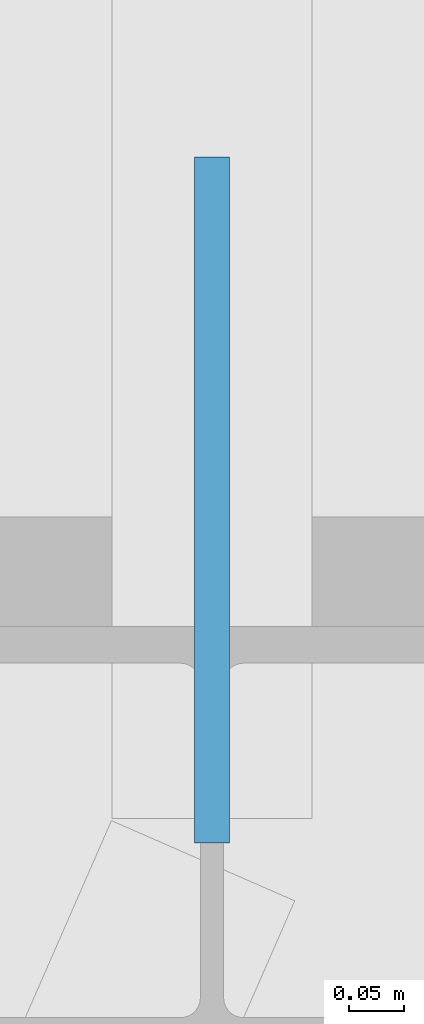
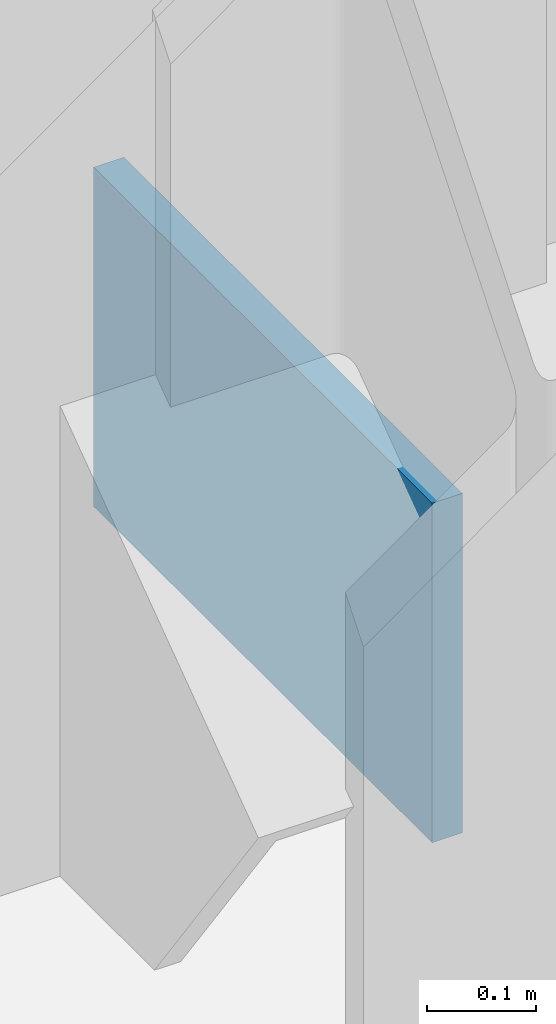
# One storey, part 30 of 37: 1 plate.
"""IFC4 building model written with IfcOpenShell, lengths in metres."""

import ifcopenshell
import ifcopenshell.guid

model = None  # the IFC model being written
_history = None  # IfcOwnerHistory: only IFC2X3 demands one
_inside = {}  # id of a spatial element -> (the spatial element, [elements in it])
_under = {}  # id of a project, library or spatial element -> (it, [spatial elements below it])
_declared = {}  # id of a project -> (the project, [libraries it declares])
_typed = {}  # id of a type object -> (the type object, [elements of that type])
_made_of = {}  # id of a material, layer set ... -> (it, [elements and type objects made of it])


def new_model(schema):
    """Start an empty IFC model of exactly this schema.

    Asked for "IFC4X3", IfcOpenShell would pick the latest addendum, in which some entities
    have other attributes; the version numbers below select the first issue.
    IFC2X3 requires an IfcOwnerHistory on every rooted entity: one is made here for all.
    """
    global model, _history
    if schema == "IFC4X3":
        model = ifcopenshell.file(schema_version=(4, 3, 0, 0))
    else:
        model = ifcopenshell.file(schema=schema)
    _inside.clear()
    _under.clear()
    _declared.clear()
    _typed.clear()
    _made_of.clear()
    _history = None
    if model.schema == "IFC2X3":
        org = make("IfcOrganization", Name="unknown")
        user = make(
            "IfcPersonAndOrganization",
            ThePerson=make("IfcPerson", FamilyName="unknown"),
            TheOrganization=org,
        )
        app = make(
            "IfcApplication",
            ApplicationDeveloper=org,
            Version="unknown",
            ApplicationFullName="unknown",
            ApplicationIdentifier="unknown",
        )
        _history = make(
            "IfcOwnerHistory",
            OwningUser=user,
            OwningApplication=app,
            ChangeAction="ADDED",
            CreationDate=0,
        )
    return model


def make(cls, **values):
    """One entity of the class cls with the attributes given. An attribute that is None is left unset."""
    return model.create_entity(
        cls, **{name: value for name, value in values.items() if value is not None}
    )


def rooted(cls, **values):
    """An entity with a GlobalId (a new one), such as an element, a storey or a relation."""
    return make(cls, GlobalId=ifcopenshell.guid.new(), OwnerHistory=_history, **values)


def si_unit(unit_type, name, prefix=None):
    """IfcSIUnit, for example si_unit("LENGTHUNIT", "METRE", prefix="MILLI")."""
    return make("IfcSIUnit", UnitType=unit_type, Prefix=prefix, Name=name)


def assignment(units):
    """IfcUnitAssignment: the units of a project."""
    return None if units is None else make("IfcUnitAssignment", Units=units)


def point(xyz):
    """IfcCartesianPoint."""
    return None if xyz is None else make("IfcCartesianPoint", Coordinates=xyz)


def direction(xyz):
    """IfcDirection."""
    return None if xyz is None else make("IfcDirection", DirectionRatios=xyz)


def frame(location, z_axis=None, x_axis=None):
    """IfcAxis2Placement3D, a coordinate frame: its origin and axes. An axis left out is left unset."""
    return make(
        "IfcAxis2Placement3D",
        Location=point(location),
        Axis=direction(z_axis),
        RefDirection=direction(x_axis),
    )


def frame_2d(location, x_axis=None):
    """IfcAxis2Placement2D, a coordinate frame in the plane: its origin and x axis."""
    return make(
        "IfcAxis2Placement2D", Location=point(location), RefDirection=direction(x_axis)
    )


def origin():
    """The frame at (0, 0, 0) with its axes left unset."""
    return frame((0.0, 0.0, 0.0))


def origin_2d():
    """The frame at (0, 0) in the plane with its x axis left unset."""
    return frame_2d((0.0, 0.0))


def place(relative_to, where):
    """IfcLocalPlacement: puts the frame where relative to a parent placement (None: the world)."""
    return make(
        "IfcLocalPlacement", PlacementRelTo=relative_to, RelativePlacement=where
    )


def context(
    kind, dimensions, precision=None, world=None, true_north=None, identifier=None
):
    """IfcGeometricRepresentationContext, for example the 3D "Model" context."""
    return make(
        "IfcGeometricRepresentationContext",
        ContextIdentifier=identifier,
        ContextType=kind,
        CoordinateSpaceDimension=dimensions,
        Precision=precision,
        WorldCoordinateSystem=world,
        TrueNorth=true_north,
    )


def subcontext(parent, identifier, kind, view, scale=None):
    """IfcGeometricRepresentationSubContext, for example "Body" below "Model"."""
    return make(
        "IfcGeometricRepresentationSubContext",
        ContextIdentifier=identifier,
        ContextType=kind,
        ParentContext=parent,
        TargetScale=scale,
        TargetView=view,
    )


def project(units=None, contexts=None):
    """IfcProject with its units and contexts."""
    return rooted(
        "IfcProject",
        Name="project",
        RepresentationContexts=contexts,
        UnitsInContext=assignment(units),
    )


def spatial(cls, under=None, at=None, **own):
    """A site, building, storey or space (cls), placed at a placement, below another one or the project."""
    s = rooted(cls, ObjectPlacement=at, **own)
    if under is not None:
        _under.setdefault(under.id(), (under, []))[1].append(s)
    return s


def profile(cls, at=None, kind="AREA", **sizes):
    """A parametric profile (cls). Its sizes go by their IFC names, for example OverallWidth=200.0."""
    return make(cls, ProfileType=kind, Position=at, **sizes)


def rectangle(**sizes):
    """IfcRectangleProfileDef."""
    return profile("IfcRectangleProfileDef", **sizes)


def extrude(swept, where, along, depth):
    """IfcExtrudedAreaSolid: the profile swept, set in the frame where, extruded along a direction by depth."""
    return make(
        "IfcExtrudedAreaSolid",
        SweptArea=swept,
        Position=where,
        ExtrudedDirection=direction(along),
        Depth=depth,
    )


def shape(context_of_items, identifier, shape_type, items):
    """IfcShapeRepresentation: the items that make up one representation, for example the "Body"."""
    return make(
        "IfcShapeRepresentation",
        ContextOfItems=context_of_items,
        RepresentationIdentifier=identifier,
        RepresentationType=shape_type,
        Items=items,
    )


def source(mapping_origin, context_of_items, identifier, shape_type, items):
    """IfcRepresentationMap: a shape defined once, which mapped items show again and again."""
    return make(
        "IfcRepresentationMap",
        MappingOrigin=mapping_origin,
        MappedRepresentation=shape(context_of_items, identifier, shape_type, items),
    )


def transform(
    local_origin,
    x_axis=None,
    y_axis=None,
    z_axis=None,
    scale=None,
    scale2=None,
    scale3=None,
    uniform=True,
):
    """IfcCartesianTransformationOperator3D, or its non-uniform kind. x_axis, y_axis, z_axis: its Axis1, 2, 3."""
    if uniform:
        return make(
            "IfcCartesianTransformationOperator3D",
            Axis1=direction(x_axis),
            Axis2=direction(y_axis),
            LocalOrigin=point(local_origin),
            Scale=scale,
            Axis3=direction(z_axis),
        )
    return make(
        "IfcCartesianTransformationOperator3DnonUniform",
        Axis1=direction(x_axis),
        Axis2=direction(y_axis),
        LocalOrigin=point(local_origin),
        Scale=scale,
        Axis3=direction(z_axis),
        Scale2=scale2,
        Scale3=scale3,
    )


def mapped(mapping_source, mapping_target):
    """IfcMappedItem: shows the shape of a source again, moved by a transform."""
    return make(
        "IfcMappedItem", MappingSource=mapping_source, MappingTarget=mapping_target
    )


def material(Name=None, Category=None):
    """IfcMaterial."""
    return make("IfcMaterial", Name=Name, Category=Category)


def layer(
    of_material, thickness, ventilated=None, Name=None, Category=None, Priority=None
):
    """IfcMaterialLayer: one layer of a wall or slab, of a material (None: an air gap)."""
    return make(
        "IfcMaterialLayer",
        Material=of_material,
        LayerThickness=thickness,
        IsVentilated=ventilated,
        Name=Name,
        Category=Category,
        Priority=Priority,
    )


def layer_set(layers, Name=None):
    """IfcMaterialLayerSet."""
    return make("IfcMaterialLayerSet", MaterialLayers=layers, LayerSetName=Name)


def made_of(thing, what):
    """Note that an element or type object is made of a material, layer set ...; save() writes the relation."""
    if what is not None:
        _made_of.setdefault(what.id(), (what, []))[1].append(thing)
    return thing


def type_object(cls, material=None, **own):
    """A type object (cls), such as IfcWallType, which elements share."""
    return made_of(rooted(cls, **own), material)


def type_shapes(of_type, sources):
    """Give a type object the sources (RepresentationMaps) that its elements show as mapped items."""
    of_type.RepresentationMaps = sources


def element(
    cls,
    number,
    at=None,
    inside=None,
    cuts=None,
    type_object=None,
    material=None,
    context=None,
    identifier="Body",
    shape_type=None,
    held_by="IfcProductDefinitionShape",
    body=None,
    shapes=None,
    **own,
):
    """One element of the class cls, such as IfcWall. Its Tag is "e" and its number.

    at: its placement. inside: the storey or other place that contains it. cuts: it is an
    opening in that element (IfcRelVoidsElement). A single representation is given by context,
    identifier, shape_type and body (its items); several are given by shapes. held_by: the class
    of the entity that holds the representations. save() writes the other relations.
    """
    e = rooted(cls, Tag="e%d" % number, ObjectPlacement=at, **own)
    if body is not None:
        shapes = [shape(context, identifier, shape_type, body)]
    if shapes is not None:
        e.Representation = make(held_by, Representations=shapes)
    if inside is not None:
        _inside.setdefault(inside.id(), (inside, []))[1].append(e)
    if cuts is not None:
        rooted(
            "IfcRelVoidsElement", RelatingBuildingElement=cuts, RelatedOpeningElement=e
        )
    if type_object is not None:
        _typed.setdefault(type_object.id(), (type_object, []))[1].append(e)
    return made_of(e, material)


def aggregate(whole, parts):
    """IfcRelAggregates: a whole, such as a stair, and the parts it consists of."""
    return rooted("IfcRelAggregates", RelatingObject=whole, RelatedObjects=parts)


def save(model, path):
    """Write the relations noted so far, then the file.

    IfcRelAggregates (storeys below a building ...), IfcRelContainedInSpatialStructure (elements
    in a storey), IfcRelDefinesByType, IfcRelAssociatesMaterial and IfcRelDeclares: one each for
    every whole, place, type object, material and project.
    """
    for whole, parts in _under.values():
        aggregate(whole, parts)
    for where, things in _inside.values():
        rooted(
            "IfcRelContainedInSpatialStructure",
            RelatedElements=things,
            RelatingStructure=where,
        )
    for kind, things in _typed.values():
        rooted("IfcRelDefinesByType", RelatedObjects=things, RelatingType=kind)
    for what, things in _made_of.values():
        rooted("IfcRelAssociatesMaterial", RelatedObjects=things, RelatingMaterial=what)
    for by, libraries in _declared.values():
        rooted("IfcRelDeclares", RelatingContext=by, RelatedDefinitions=libraries)
    model.write(path)


model = new_model("IFC4")

# Units and contexts
model_context = context("Model", 3, precision=1e-05, world=origin(), true_north=direction((0.0, 1.0)))
body_context = subcontext(model_context, "Body", "Model", "MODEL_VIEW")
ifc_project = project(units=[si_unit("LENGTHUNIT", "METRE"), si_unit("AREAUNIT", "SQUARE_METRE"), si_unit("VOLUMEUNIT", "CUBIC_METRE"), si_unit("PLANEANGLEUNIT", "RADIAN"), si_unit("MASSUNIT", "GRAM", prefix="KILO")], contexts=[model_context])

# Site, building, storey
site_placement = place(None, origin())
site = spatial("IfcSite", under=ifc_project, at=site_placement, CompositionType="ELEMENT")
building_placement = place(site_placement, origin())
building = spatial("IfcBuilding", under=site, at=building_placement, Name="Varnel Quay Broadcast Tower", CompositionType="ELEMENT")
storey_placement = place(building_placement, frame((0.0, 0.0, 103.0)))
storey = spatial("IfcBuildingStorey", under=building, at=storey_placement, Name="L24", CompositionType="ELEMENT", Elevation=103.0)

# Plate
ifc_material = material(Name="Structural Steel CSA G40.21 350WT", Category="steel")
ifc_layer = layer(ifc_material, 0.031982421875, Name="Structural Steel CSA G40.21 350WT")
ifc_layer_set = layer_set([ifc_layer], Name="Structural Steel CSA G40.21 350WT")
plate_type = type_object("IfcPlateType", Name="Plate_EndCap", PredefinedType="USERDEFINED", material=ifc_layer_set)
shared_shape = source(origin(), body_context, "Body", "SweptSolid", [
    extrude(rectangle(XDim=0.6201171875, YDim=0.031982421875, at=origin_2d()), origin(), (0.0, 0.0, 1.0), 0.3798828125),
])
type_shapes(plate_type, [shared_shape])
plate_placement = place(storey_placement, frame((63.050048828125, 15.307861328125, 0.052978515625), z_axis=(0.0, 0.0, 1.0), x_axis=(0.0, 1.0, 0.0)))
element("IfcPlate", 1, at=plate_placement, inside=storey, type_object=plate_type, Name="Zone 2 Mega-Brace E-FT2 Diag A End Connection Plate P0", ObjectType="CAP_PLATE", PredefinedType="USERDEFINED", context=body_context, shape_type="MappedRepresentation", body=[
    mapped(shared_shape, transform((0.0, 0.0, 0.0), x_axis=(1.0, 0.0, 0.0), y_axis=(0.0, 1.0, 0.0), z_axis=(0.0, 0.0, 1.0), scale=1.0)),
])

save(model, "model.ifc")
